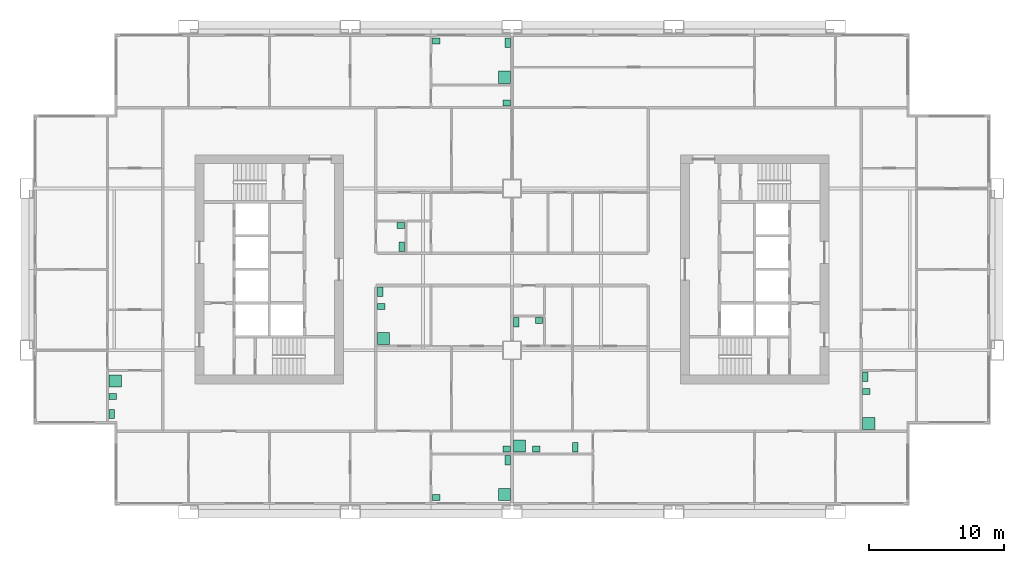
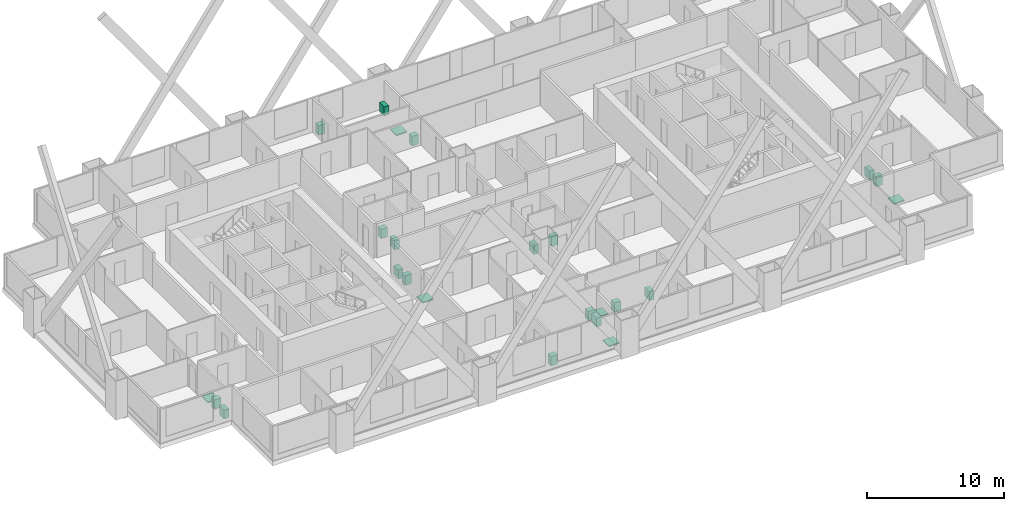
# One storey, part 11 of 11: 24 sanitary terminals.
"""IFC4 building model written with IfcOpenShell, lengths in metres."""

from ifc_helpers import new_model, si_unit, direction, frame, origin, origin_2d, place, context, subcontext, project, spatial, rectangle, extrude, material, type_object, element, save


model = new_model("IFC4")

# Units and contexts
model_context = context("Model", 3, precision=1e-05, world=origin(), true_north=direction((0.0, 1.0)))
body_context = subcontext(model_context, "Body", "Model", "MODEL_VIEW")
ifc_project = project(units=[si_unit("LENGTHUNIT", "METRE"), si_unit("AREAUNIT", "SQUARE_METRE"), si_unit("VOLUMEUNIT", "CUBIC_METRE"), si_unit("PLANEANGLEUNIT", "RADIAN"), si_unit("MASSUNIT", "GRAM", prefix="KILO")], contexts=[model_context])

# Site, building, storey
site_placement = place(None, origin())
site = spatial("IfcSite", under=ifc_project, at=site_placement, CompositionType="ELEMENT")
building_placement = place(site_placement, origin())
building = spatial("IfcBuilding", under=site, at=building_placement, Name="Kitamizu Gate Tower and Museum", CompositionType="ELEMENT")
storey_placement = place(building_placement, frame((0.0, 0.0, 96.60009765625)))
storey = spatial("IfcBuildingStorey", under=building, at=storey_placement, Name="L24", CompositionType="ELEMENT", Elevation=96.60009765625)

# Sanitary terminals
ifc_material_1 = material(Name="Acrylic")
sanitary_terminal_type_1 = type_object("IfcSanitaryTerminalType", Name="Shower tray", PredefinedType="SHOWER", material=ifc_material_1)
for number, where, z_axis, x_axis, name in (
    (1, (35.429931640625, 13.2900390625, 0.000732421875), (0.0, 0.0, 1.0), (1.0, 0.0, 0.0), "Shower tray En-suite bathroom and WC 24A"),
    (2, (26.469970703125, 24.8701171875, 0.000732421875), (0.0, 0.0, 1.0), (1.0, 0.0, 0.0), "Shower tray En-suite bathroom 24A"),
    (3, (6.570068359375, 21.72998046875, 0.000732421875), (0.0, 0.0, 1.0), (1.0, 0.0, 0.0), "Shower tray En-suite bathroom and WC 24B"),
    (4, (36.570068359375, 16.889892578125, 0.000732421875), (0.0, 0.0, 1.0), (1.0, 0.0, 0.0), "Shower tray En-suite bathroom 24C"),
    (5, (62.469970703125, 18.570068359375, 0.000732421875), (0.0, 0.0, 1.0), (1.0, 0.0, 0.0), "Shower tray En-suite bathroom and WC 24D"),
    (6, (35.429931640625, 44.25, 0.000732421875), (0.0, 0.0, 1.0), (1.0, 0.0, 0.0), "Shower tray En-suite bathroom 24E"),
):
    element("IfcSanitaryTerminal", number, at=place(storey_placement, frame(where, z_axis=z_axis, x_axis=x_axis)), inside=storey, type_object=sanitary_terminal_type_1, Name=name, PredefinedType="SHOWER", context=body_context, shape_type="SweptSolid", body=[
        extrude(rectangle(XDim=0.89990234375, YDim=0.89990234375, at=origin_2d()), origin(), (0.0, 0.0, 1.0), 0.10009765625),
    ])
ifc_material_2 = material(Name="Vitreous china")
sanitary_terminal_type_2 = type_object("IfcSanitaryTerminalType", Name="Wash hand basin", PredefinedType="WASHHANDBASIN", material=ifc_material_2)
for number, where, z_axis, x_axis, name in (
    (7, (30.39501953125, 13.06494140625, 0.000732421875), (0.0, 0.0, 1.0), (1.0, 0.0, 0.0), "Wash hand basin En-suite bathroom and WC 24A"),
    (8, (35.60498046875, 16.6650390625, 0.000732421875), (0.0, 0.0, 1.0), (1.0, 0.0, 0.0), "Wash hand basin Wash room 24A"),
    (9, (26.294921875, 27.2548828125, 0.000732421875), (0.0, 0.0, 1.0), (1.0, 0.0, 0.0), "Wash hand basin En-suite bathroom 24A"),
    (10, (6.39501953125, 20.554931640625, 0.000732421875), (0.0, 0.0, 1.0), (1.0, 0.0, 0.0), "Wash hand basin En-suite bathroom and WC 24B"),
    (11, (37.794921875, 16.6650390625, 0.000732421875), (0.0, 0.0, 1.0), (1.0, 0.0, 0.0), "Wash hand basin En-suite bathroom 24C"),
    (12, (38.0048828125, 26.205078125, 0.000732421875), (0.0, 0.0, 1.0), (1.0, 0.0, 0.0), "Wash hand basin WC 24C"),
    (13, (62.294921875, 20.955078125, 0.000732421875), (0.0, 0.0, 1.0), (1.0, 0.0, 0.0), "Wash hand basin En-suite bathroom and WC 24D"),
    (14, (30.39501953125, 46.93505859375, 0.000732421875), (0.0, 0.0, 1.0), (1.0, 0.0, 0.0), "Wash hand basin En-suite bathroom 24E"),
    (15, (35.60498046875, 42.344970703125, 0.000732421875), (0.0, 0.0, 1.0), (1.0, 0.0, 0.0), "Wash hand basin Wash room 24E"),
    (16, (27.7548828125, 33.2548828125, 0.000732421875), (0.0, 0.0, 1.0), (1.0, 0.0, 0.0), "Wash hand basin WC 24E"),
):
    element("IfcSanitaryTerminal", number, at=place(storey_placement, frame(where, z_axis=z_axis, x_axis=x_axis)), inside=storey, type_object=sanitary_terminal_type_2, Name=name, PredefinedType="WASHHANDBASIN", context=body_context, shape_type="SweptSolid", body=[
        extrude(rectangle(XDim=0.550048828125, YDim=0.449951171875, at=origin_2d()), origin(), (0.0, 0.0, 1.0), 0.85009765625),
    ])
ifc_material_3 = material(Name="Vitreous china")
sanitary_terminal_type_3 = type_object("IfcSanitaryTerminalType", Name="Water closet", PredefinedType="TOILETPAN", material=ifc_material_3)
for number, where, z_axis, x_axis, name in (
    (17, (35.679931640625, 15.85009765625, 0.0009765625), (0.0, 0.0, 1.0), (1.0, 0.0, 0.0), "Water closet En-suite bathroom and WC 24A"),
    (18, (26.219970703125, 28.330078125, 0.0009765625), (0.0, 0.0, 1.0), (1.0, 0.0, 0.0), "Water closet En-suite bathroom 24A"),
    (19, (6.320068359375, 19.27001953125, 0.0009765625), (0.0, 0.0, 1.0), (1.0, 0.0, 0.0), "Water closet En-suite bathroom and WC 24B"),
    (20, (40.679931640625, 16.7900390625, 0.0009765625), (0.0, 0.0, 1.0), (1.0, 0.0, 0.0), "Water closet En-suite bathroom 24C"),
    (21, (36.320068359375, 26.080078125, 0.0009765625), (0.0, 0.0, 1.0), (1.0, 0.0, 0.0), "Water closet WC 24C"),
    (22, (62.219970703125, 22.030029296875, 0.0009765625), (0.0, 0.0, 1.0), (1.0, 0.0, 0.0), "Water closet En-suite bathroom and WC 24D"),
    (23, (35.679931640625, 46.81005859375, 0.0009765625), (0.0, 0.0, 1.0), (1.0, 0.0, 0.0), "Water closet En-suite bathroom 24E"),
    (24, (27.830078125, 31.669921875, 0.0009765625), (0.0, 0.0, 1.0), (1.0, 0.0, 0.0), "Water closet WC 24E"),
):
    element("IfcSanitaryTerminal", number, at=place(storey_placement, frame(where, z_axis=z_axis, x_axis=x_axis)), inside=storey, type_object=sanitary_terminal_type_3, Name=name, PredefinedType="TOILETPAN", context=body_context, shape_type="SweptSolid", body=[
        extrude(rectangle(XDim=0.39990234375, YDim=0.699951171875, at=origin_2d()), origin(), (0.0, 0.0, 1.0), 0.800048828125),
    ])

save(model, "model.ifc")
